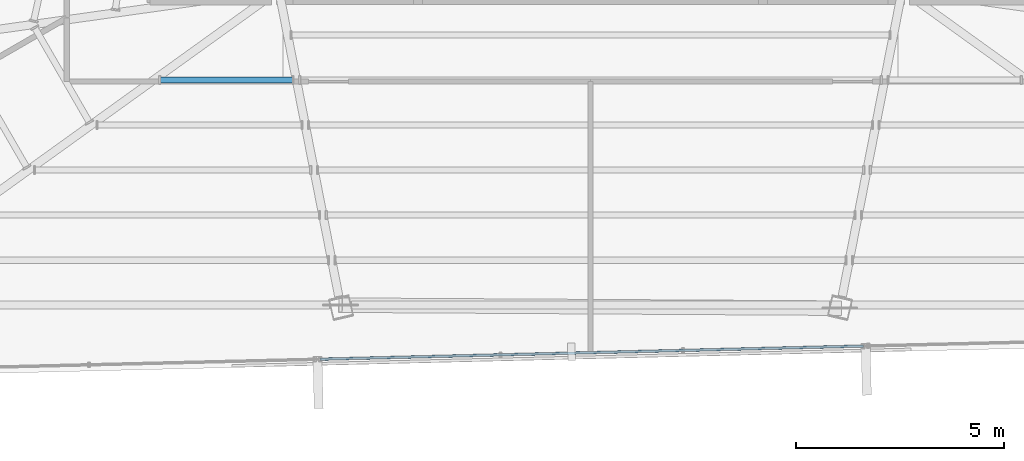
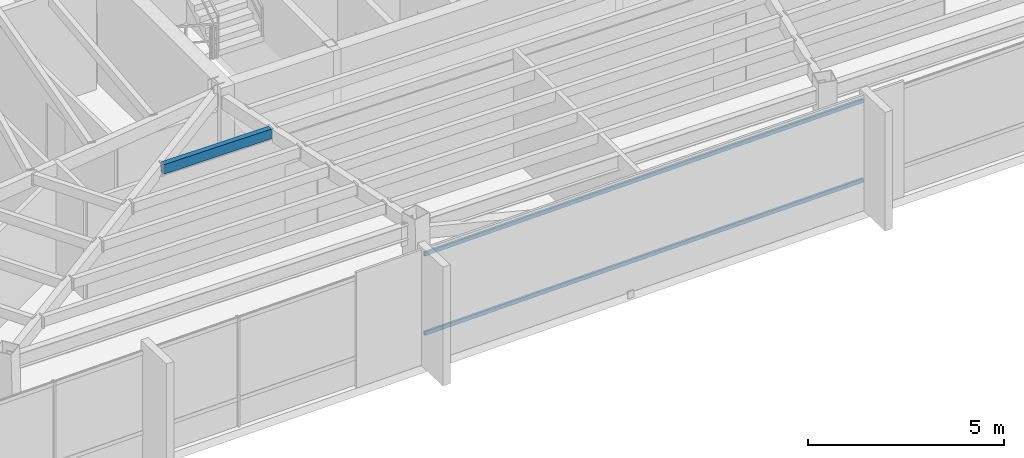
# One storey, part 12 of 48: 2 members, 1 beam, 1 element without a shape of its own.
"""IFC4 building model written with IfcOpenShell, lengths in metres."""

from ifc_helpers import new_model, si_unit, direction, frame, origin, origin_2d, place, context, subcontext, project, spatial, hollow_rectangle, extrude, source, transform, mapped, material, material_profile, profile_set, type_object, type_shapes, element, aggregate, save


model = new_model("IFC4")

# Units and contexts
model_context = context("Model", 3, precision=1e-05, world=origin(), true_north=direction((0.0, 1.0)))
body_context = subcontext(model_context, "Body", "Model", "MODEL_VIEW")
ifc_project = project(units=[si_unit("LENGTHUNIT", "METRE"), si_unit("AREAUNIT", "SQUARE_METRE"), si_unit("VOLUMEUNIT", "CUBIC_METRE"), si_unit("PLANEANGLEUNIT", "RADIAN"), si_unit("MASSUNIT", "GRAM", prefix="KILO")], contexts=[model_context])

# Site, building, storey
site_placement = place(None, origin())
site = spatial("IfcSite", under=ifc_project, at=site_placement, CompositionType="ELEMENT")
building_placement = place(site_placement, origin())
building = spatial("IfcBuilding", under=site, at=building_placement, Name="Caelisora Broadcast Tower", CompositionType="ELEMENT")
storey_placement = place(building_placement, frame((0.0, 0.0, 277.300048828125)))
storey = spatial("IfcBuildingStorey", under=building, at=storey_placement, Name="L73", CompositionType="ELEMENT", Elevation=277.300048828125)

# Beam
ifc_material_1 = material(Name="Steel Grade 350 (AS/NZS 1163 C350L0)", Category="steel")
ifc_material_profile_1 = material_profile(ifc_material_1, hollow_rectangle(XDim=0.14990234375, YDim=0.300048828125, WallThickness=0.010009765625, at=origin_2d()), Name="Steel Grade 350 (AS/NZS 1163 C350L0)")
ifc_profile_set_1 = profile_set([ifc_material_profile_1], Name="Steel Grade 350 (AS/NZS 1163 C350L0)")
beam_type = type_object("IfcBeamType", Name="SB05", PredefinedType="JOIST", material=ifc_profile_set_1)
shared_shape_1 = source(origin(), body_context, "Body", "SweptSolid", [
    extrude(hollow_rectangle(XDim=0.14990234375, YDim=0.300048828125, WallThickness=0.010009765625, at=origin_2d()), origin(), (0.0, 0.0, 1.0), 3.169921875),
])
type_shapes(beam_type, [shared_shape_1])
beam_placement = place(storey_placement, frame((27.655517578125, 15.23388671875, 3.25), z_axis=(1.0, 0.0, 0.0), x_axis=(0.0, 1.0, 0.0)))
element("IfcBeam", 1, at=beam_placement, inside=storey, type_object=beam_type, Name="L73 beam SB05", PredefinedType="JOIST", context=body_context, shape_type="MappedRepresentation", body=[
    mapped(shared_shape_1, transform((0.0, 0.0, 0.0), scale=1.0)),
])

# Curtain wall, members
ifc_material_2 = material(Name="Unitised Aluminium Insulated Shadow-Box Spandrel Curtain Wall", Category="aluminium")
curtain_wall_type = type_object("IfcCurtainWallType", Name="CW-SP3", PredefinedType="NOTDEFINED", material=ifc_material_2)
curtain_wall_placement = place(storey_placement, origin())
curtain_wall = element("IfcCurtainWall", 2, at=curtain_wall_placement, inside=storey, type_object=curtain_wall_type, Name="L73 curtain wall CW-SP3", PredefinedType="NOTDEFINED")
ifc_material_3 = material(Name="Aluminium 6063-T6 Anodised Terracotta Bronze", Category="aluminium")
ifc_material_profile_2 = material_profile(ifc_material_3, hollow_rectangle(XDim=0.06005859375, YDim=0.1201171875, WallThickness=0.0029296875, at=origin_2d()), Name="Aluminium 6063-T6 Anodised Terracotta Bronze")
ifc_profile_set_2 = profile_set([ifc_material_profile_2], Name="Aluminium 6063-T6 Anodised Terracotta Bronze")
member_type = type_object("IfcMemberType", Name="CWT-03", PredefinedType="USERDEFINED", material=ifc_profile_set_2)
shared_shape_2 = source(origin(), body_context, "Body", "SweptSolid", [
    extrude(hollow_rectangle(XDim=0.06005859375, YDim=0.1201171875, WallThickness=0.0029296875, at=origin_2d()), origin(), (0.0, 0.0, 1.0), 13.08349609375),
])
type_shapes(member_type, [shared_shape_2])
member_1_placement = place(storey_placement, frame((44.565673828125, 8.834716796875, 0.849853515625), z_axis=(-0.999706175019, -0.024239711826, 0.0), x_axis=(0.024239711826, -0.999706175019, 0.0)))
member_1 = element("IfcMember", 3, at=member_1_placement, type_object=member_type, Name="L73-CW-B06 transom #1", ObjectType="TRANSOM", PredefinedType="USERDEFINED", context=body_context, shape_type="MappedRepresentation", body=[
    mapped(shared_shape_2, transform((0.0, 0.0, 0.0), scale=1.0)),
])
member_2_placement = place(storey_placement, frame((44.565673828125, 8.834716796875, 3.320068359375), z_axis=(-0.999706175019, -0.024239711826, 0.0), x_axis=(0.024239711826, -0.999706175019, 0.0)))
member_2 = element("IfcMember", 4, at=member_2_placement, type_object=member_type, Name="L73-CW-B06 transom #2", ObjectType="TRANSOM", PredefinedType="USERDEFINED", context=body_context, shape_type="MappedRepresentation", body=[
    mapped(shared_shape_2, transform((0.0, 0.0, 0.0), scale=1.0)),
])
aggregate(curtain_wall, [member_1, member_2])

save(model, "model.ifc")
